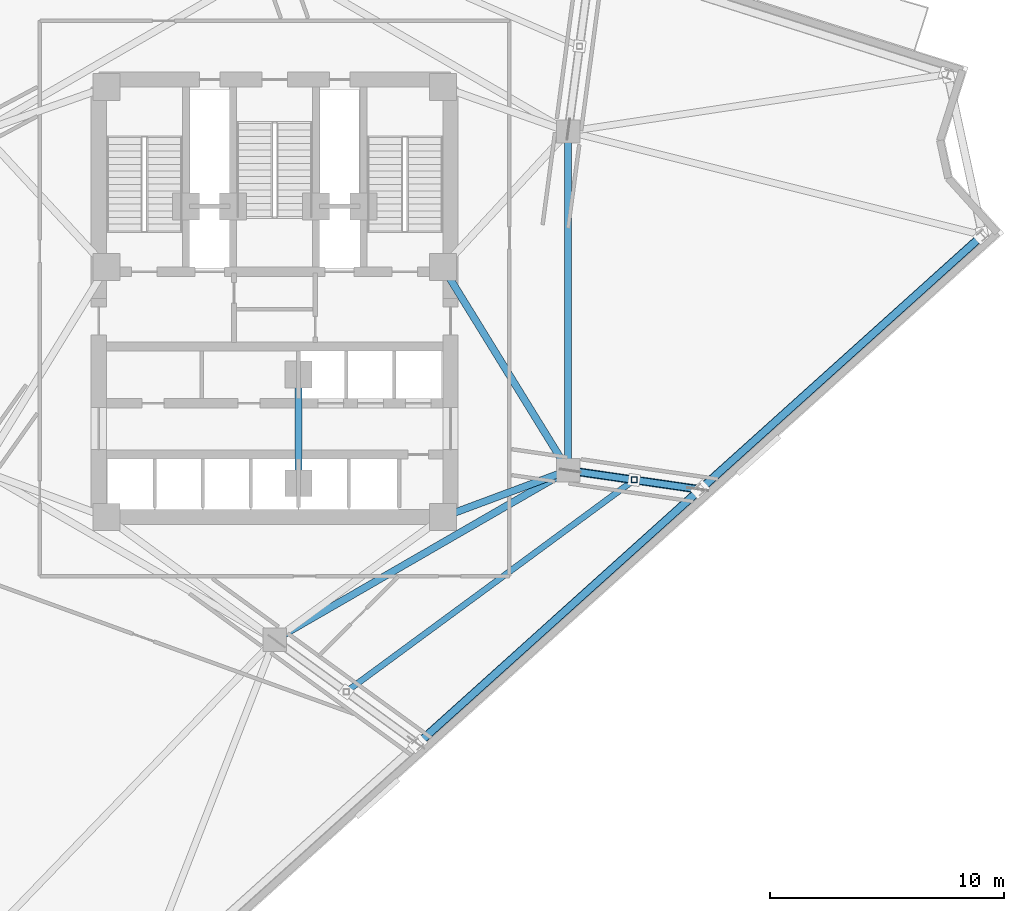
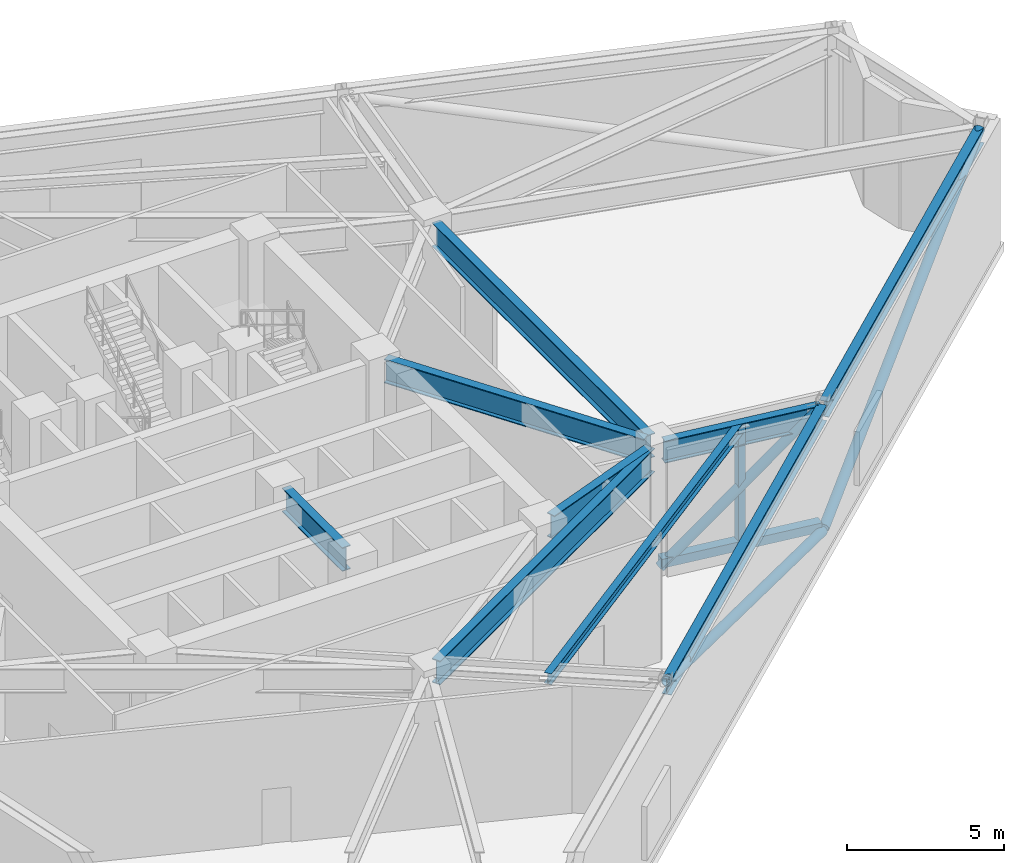
# One storey, part 5 of 16: 9 beams, 5 members.
"""IFC4 building model written with IfcOpenShell, lengths in metres."""

from ifc_helpers import new_model, si_unit, direction, frame, origin, origin_2d, place, context, subcontext, project, spatial, hollow_rectangle, hollow_circle, i_section, extrude, material, material_profile, profile_set, type_object, element, save


model = new_model("IFC4")

# Units and contexts
model_context = context("Model", 3, precision=1e-05, world=origin(), true_north=direction((0.0, 1.0)))
body_context = subcontext(model_context, "Body", "Model", "MODEL_VIEW")
ifc_project = project(units=[si_unit("LENGTHUNIT", "METRE"), si_unit("AREAUNIT", "SQUARE_METRE"), si_unit("VOLUMEUNIT", "CUBIC_METRE"), si_unit("PLANEANGLEUNIT", "RADIAN"), si_unit("MASSUNIT", "GRAM", prefix="KILO")], contexts=[model_context])

# Site, building, storey
site_placement = place(None, origin())
site = spatial("IfcSite", under=ifc_project, at=site_placement, CompositionType="ELEMENT")
building_placement = place(site_placement, origin())
building = spatial("IfcBuilding", under=site, at=building_placement, Name="Apsidion Concourse Tower", CompositionType="ELEMENT")
storey_placement = place(building_placement, frame((0.0, 0.0, 227.0)))
storey = spatial("IfcBuildingStorey", under=building, at=storey_placement, Name="L53", CompositionType="ELEMENT", Elevation=227.0)

# Beams
ifc_material_1 = material(Name="Structural steel ASTM A992 Grade 50", Category="steel")
ifc_material_profile_1 = material_profile(ifc_material_1, i_section(OverallWidth=0.260009765625, OverallDepth=0.4150390625, WebThickness=0.010009765625, FlangeThickness=0.016845703125, at=origin_2d()), Name="W16X67")
ifc_profile_set_1 = profile_set([ifc_material_profile_1], Name="Structural steel ASTM A992 Grade 50")
beam_type_1 = type_object("IfcBeamType", Name="BM-FL-W16H", PredefinedType="BEAM", material=ifc_profile_set_1)
beam_1_placement = place(storey_placement, frame((3.060791015625, -16.727294921875, 4.742431640625), z_axis=(0.80548434449, 0.592617052389, 0.0), x_axis=(-0.592617052389, 0.80548434449, 0.0)))
element("IfcBeam", 1, at=beam_1_placement, inside=storey, type_object=beam_type_1, Name="L53 Secondary Floor Beam SEC-F2", PredefinedType="BEAM", context=body_context, shape_type="SweptSolid", body=[
    extrude(i_section(OverallWidth=0.260009765625, OverallDepth=0.4150390625, WebThickness=0.010009765625, FlangeThickness=0.016845703125, at=origin_2d()), origin(), (0.0, 0.0, 1.0), 15.301025390625),
])
ifc_material_profile_2 = material_profile(ifc_material_1, i_section(OverallWidth=0.2919921875, OverallDepth=0.85888671875, WebThickness=0.01708984375, FlangeThickness=0.031005859375, at=origin_2d()), Name="W33X169")
ifc_profile_set_2 = profile_set([ifc_material_profile_2], Name="Structural steel ASTM A992 Grade 50")
beam_type_2 = type_object("IfcBeamType", Name="BM-G-W33", PredefinedType="USERDEFINED", material=ifc_profile_set_2)
beam_2_placement = place(storey_placement, frame((12.777587890625, -7.281494140625, 4.5205078125), z_axis=(0.98964652534, -0.143526147032, 0.0), x_axis=(0.143526147032, 0.98964652534, 0.0)))
element("IfcBeam", 2, at=beam_2_placement, inside=storey, type_object=beam_type_2, Name="L53 Radial Floor Girder RAD-07", ObjectType="GIRDER", PredefinedType="USERDEFINED", context=body_context, shape_type="SweptSolid", body=[
    extrude(i_section(OverallWidth=0.2919921875, OverallDepth=0.85888671875, WebThickness=0.01708984375, FlangeThickness=0.031005859375, at=origin_2d()), origin(), (0.0, 0.0, 1.0), 5.390625),
])
ifc_material_profile_3 = material_profile(ifc_material_1, i_section(OverallWidth=0.31005859375, OverallDepth=0.931884765625, WebThickness=0.02099609375, FlangeThickness=0.034423828125, at=origin_2d()), Name="W36X210")
ifc_profile_set_3 = profile_set([ifc_material_profile_3], Name="Structural steel ASTM A992 Grade 50")
beam_type_3 = type_object("IfcBeamType", Name="BM-G-W36", PredefinedType="USERDEFINED", material=ifc_profile_set_3)
beam_3_placement = place(storey_placement, frame((12.185302734375, -7.389892578125, 4.48388671875), z_axis=(-0.936913021145, -0.349562570664, 0.0), x_axis=(0.349562570664, -0.936913021145, 0.0)))
element("IfcBeam", 3, at=beam_3_placement, inside=storey, type_object=beam_type_3, Name="L53 Core Coupling Girder IC2-SC2", ObjectType="GIRDER", PredefinedType="USERDEFINED", context=body_context, shape_type="SweptSolid", body=[
    extrude(i_section(OverallWidth=0.31005859375, OverallDepth=0.931884765625, WebThickness=0.02099609375, FlangeThickness=0.034423828125, at=origin_2d()), origin(), (0.0, 0.0, 1.0), 4.921142578125),
])
beam_4_placement = place(storey_placement, frame((12.35009765625, -6.909423828125, 4.48388671875), z_axis=(-0.524524009763, 0.851395656074, 0.0), x_axis=(-0.851395656074, -0.524524009763, 0.0)))
element("IfcBeam", 4, at=beam_4_placement, inside=storey, type_object=beam_type_3, Name="L53 Core Coupling Girder IC2-SC3", ObjectType="GIRDER", PredefinedType="USERDEFINED", context=body_context, shape_type="SweptSolid", body=[
    extrude(i_section(OverallWidth=0.31005859375, OverallDepth=0.931884765625, WebThickness=0.02099609375, FlangeThickness=0.034423828125, at=origin_2d()), origin(), (0.0, 0.0, 1.0), 9.41845703125),
])
beam_5_placement = place(storey_placement, frame((12.56005859375, 6.85009765625, 4.48388671875), z_axis=(0.0, -1.0, 0.0), x_axis=(1.0, 0.0, 0.0)))
element("IfcBeam", 5, at=beam_5_placement, inside=storey, type_object=beam_type_3, Name="L53 Core Coupling Girder IC3-IC2", ObjectType="GIRDER", PredefinedType="USERDEFINED", context=body_context, shape_type="SweptSolid", body=[
    extrude(i_section(OverallWidth=0.31005859375, OverallDepth=0.931884765625, WebThickness=0.02099609375, FlangeThickness=0.034423828125, at=origin_2d()), origin(), (0.0, 0.0, 1.0), 13.7001953125),
])
beam_6_placement = place(storey_placement, frame((12.213623046875, -7.449951171875, 4.48388671875), z_axis=(-0.866070471464, -0.499921932364, 0.0), x_axis=(0.499921932364, -0.866070471464, 0.0)))
element("IfcBeam", 6, at=beam_6_placement, inside=storey, type_object=beam_type_3, Name="L53 Core Coupling Girder IC2-IC6", ObjectType="GIRDER", PredefinedType="USERDEFINED", context=body_context, shape_type="SweptSolid", body=[
    extrude(i_section(OverallWidth=0.31005859375, OverallDepth=0.931884765625, WebThickness=0.02099609375, FlangeThickness=0.034423828125, at=origin_2d()), origin(), (0.0, 0.0, 1.0), 13.702392578125),
])
beam_7_placement = place(storey_placement, frame((1.02490234375, -3.550048828125, 4.48388671875), z_axis=(0.0, -1.0, 0.0), x_axis=(1.0, 0.0, 0.0)))
element("IfcBeam", 7, at=beam_7_placement, inside=storey, type_object=beam_type_3, Name="L53 Core Coupling Girder CC5-CC6", ObjectType="GIRDER", PredefinedType="USERDEFINED", context=body_context, shape_type="SweptSolid", body=[
    extrude(i_section(OverallWidth=0.31005859375, OverallDepth=0.931884765625, WebThickness=0.02099609375, FlangeThickness=0.034423828125, at=origin_2d()), origin(), (0.0, 0.0, 1.0), 3.849853515625),
])
ifc_material_profile_4 = material_profile(ifc_material_1, i_section(OverallWidth=0.324951171875, OverallDepth=0.616943359375, WebThickness=0.013916015625, FlangeThickness=0.021484375, at=origin_2d()), Name="W24X117")
ifc_profile_set_4 = profile_set([ifc_material_profile_4], Name="Structural steel ASTM A992 Grade 50")
beam_type_4 = type_object("IfcBeamType", Name="BM-SP-W24", PredefinedType="SPANDREL", material=ifc_profile_set_4)
for number, where, z_axis, x_axis, name in (
    (8, (6.196044921875, -18.887939453125, 4.6416015625), (0.743150581284, 0.669124213833, 0.0), (-0.669124213833, 0.743150581284, 0.0), "L53 Perimeter Spandrel Girder SP-06"),
    (9, (18.285400390625, -8.002685546875, 4.6416015625), (0.743150581284, 0.669124213833, 0.0), (-0.669124213833, 0.743150581284, 0.0), "L53 Perimeter Spandrel Girder SP-07"),
):
    element("IfcBeam", number, at=place(storey_placement, frame(where, z_axis=z_axis, x_axis=x_axis)), inside=storey, type_object=beam_type_4, Name=name, PredefinedType="SPANDREL", context=body_context, shape_type="SweptSolid", body=[
        extrude(i_section(OverallWidth=0.324951171875, OverallDepth=0.616943359375, WebThickness=0.013916015625, FlangeThickness=0.021484375, at=origin_2d()), origin(), (0.0, 0.0, 1.0), 16.06787109375),
    ])

# Members
ifc_material_2 = material(Name="Structural steel ASTM A500 Grade C", Category="steel")
ifc_material_profile_5 = material_profile(ifc_material_2, hollow_circle(Radius=0.177978515625, WallThickness=0.02001953125, at=origin_2d()), Name="CHS356X20")
ifc_profile_set_5 = profile_set([ifc_material_profile_5], Name="Structural steel ASTM A500 Grade C")
member_type_1 = type_object("IfcMemberType", Name="MB-BR-CHS356", PredefinedType="BRACE", material=ifc_profile_set_5)
member_1_placement = place(storey_placement, frame((12.658935546875, -7.264404296875, 0.0), z_axis=(0.742880324874, -0.107722136915, 0.660700207456), x_axis=(0.143505168527, 0.989649567577, 0.0)))
element("IfcMember", 10, at=member_1_placement, inside=storey, type_object=member_type_1, Name="L53 Radial Outrigger Truss Diagonal OT-02", PredefinedType="BRACE", context=body_context, shape_type="SweptSolid", body=[
    extrude(hollow_circle(Radius=0.177978515625, WallThickness=0.02001953125, at=origin_2d()), origin(), (0.0, 0.0, 1.0), 7.3408203125),
])
for number, where, z_axis, x_axis, name in (
    (11, (18.136962890625, -8.136474609375, 0.0), (-0.71144610398, -0.640577868065, 0.288971341273), (0.669124213833, -0.743150581284, 0.0), "L53 Perimeter Belt-Truss Diagonal BT-06"),
    (12, (18.285400390625, -8.002685546875, 0.0), (0.71144610398, 0.640577868065, 0.288971341273), (-0.669124213833, 0.743150581284, 0.0), "L53 Perimeter Belt-Truss Diagonal BT-07"),
):
    element("IfcMember", number, at=place(storey_placement, frame(where, z_axis=z_axis, x_axis=x_axis)), inside=storey, type_object=member_type_1, Name=name, PredefinedType="BRACE", context=body_context, shape_type="SweptSolid", body=[
        extrude(hollow_circle(Radius=0.177978515625, WallThickness=0.02001953125, at=origin_2d()), origin(), (0.0, 0.0, 1.0), 16.783935546875),
    ])
ifc_material_profile_6 = material_profile(ifc_material_2, hollow_rectangle(XDim=0.35009765625, YDim=0.35009765625, WallThickness=0.02197265625, at=origin_2d()), Name="HSS350X350X22")
ifc_profile_set_6 = profile_set([ifc_material_profile_6], Name="Structural steel ASTM A500 Grade C")
member_type_2 = type_object("IfcMemberType", Name="MB-CH-HSS350", PredefinedType="CHORD", material=ifc_profile_set_6)
member_2_placement = place(storey_placement, frame((12.658935546875, -7.264404296875, 0.219970703125), z_axis=(0.989649567577, -0.143505168527, 0.0), x_axis=(0.143505168527, 0.989649567577, 0.0)))
element("IfcMember", 13, at=member_2_placement, inside=storey, type_object=member_type_2, Name="L53 Radial Outrigger Bottom Chord OTC-02", PredefinedType="CHORD", context=body_context, shape_type="SweptSolid", body=[
    extrude(hollow_rectangle(XDim=0.35009765625, YDim=0.35009765625, WallThickness=0.02197265625, at=origin_2d()), origin(), (0.0, 0.0, 1.0), 5.510498046875),
])
ifc_material_profile_7 = material_profile(ifc_material_2, hollow_rectangle(XDim=0.25, YDim=0.25, WallThickness=0.01611328125, at=origin_2d()), Name="HSS250X250X16")
ifc_profile_set_7 = profile_set([ifc_material_profile_7], Name="Structural steel ASTM A500 Grade C")
member_type_3 = type_object("IfcMemberType", Name="MB-ST-HSS250", PredefinedType="STRUT", material=ifc_profile_set_7)
member_3_placement = place(storey_placement, frame((15.385498046875, -7.65966796875, 0.219970703125), z_axis=(0.0, 0.0, 1.0), x_axis=(1.0, 0.0, 0.0)))
element("IfcMember", 14, at=member_3_placement, inside=storey, type_object=member_type_3, Name="L53 Outrigger Truss Compression Strut OTV-02", PredefinedType="STRUT", context=body_context, shape_type="SweptSolid", body=[
    extrude(hollow_rectangle(XDim=0.25, YDim=0.25, WallThickness=0.01611328125, at=origin_2d()), origin(), (0.0, 0.0, 1.0), 4.630126953125),
])

save(model, "model.ifc")
